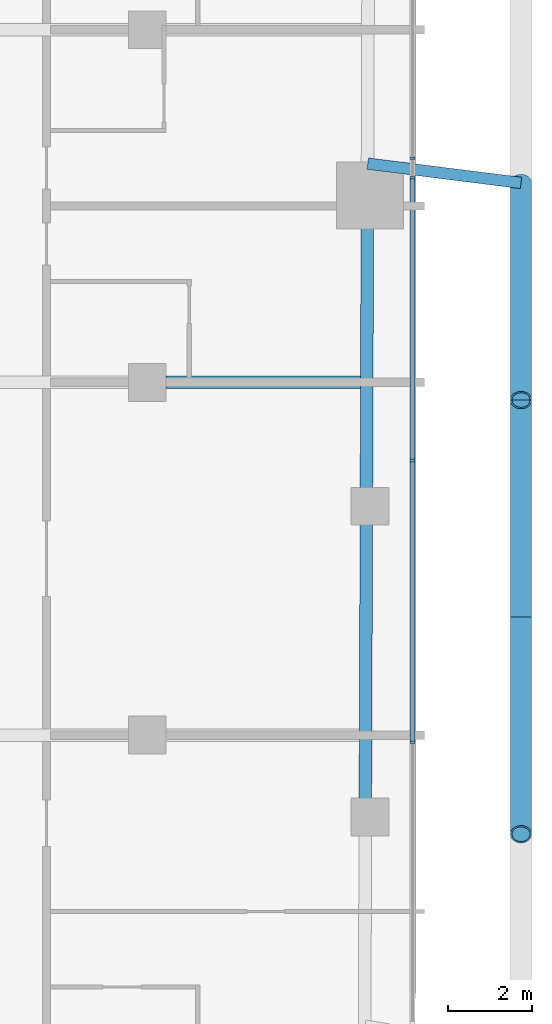
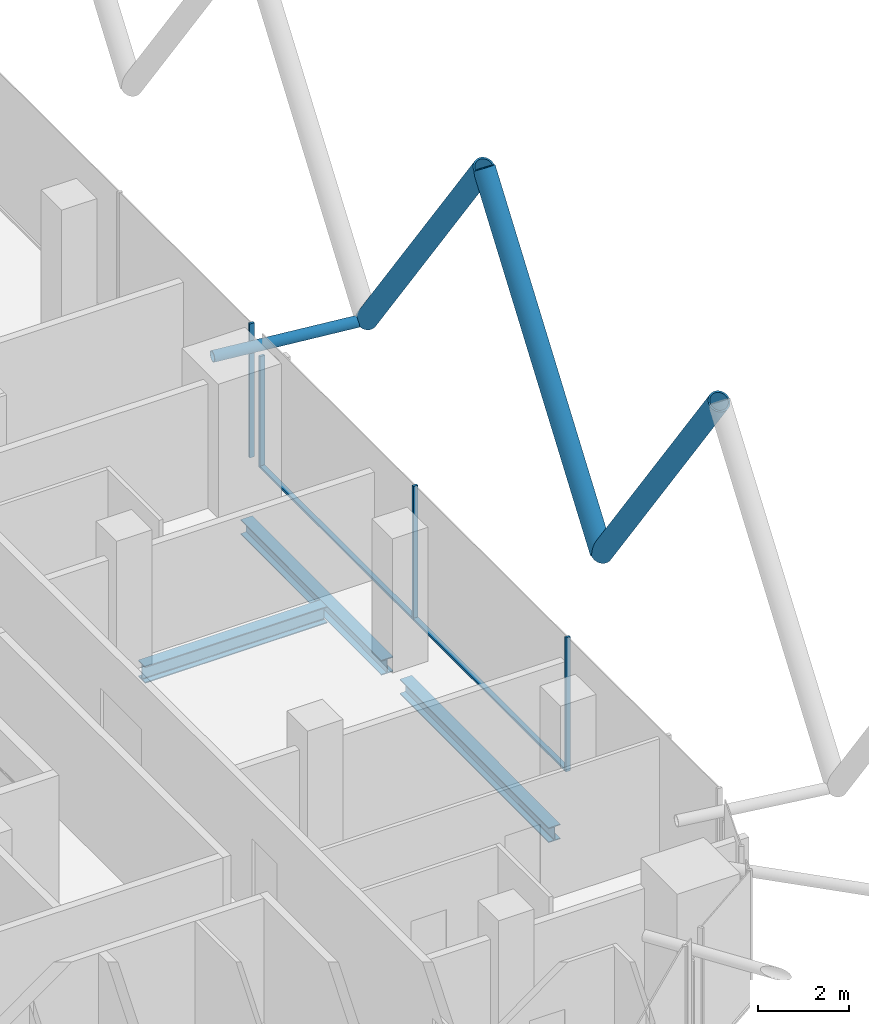
# One storey, part 8 of 36: 10 members, 3 beams, 3 elements without a shape of their own.
"""IFC4 building model written with IfcOpenShell, lengths in metres."""

from ifc_helpers import new_model, si_unit, direction, frame, origin, origin_2d, place, context, subcontext, project, spatial, rectangle, hollow_circle, i_section, extrude, material, layer, layer_set, material_profile, profile_set, type_object, element, aggregate, save


model = new_model("IFC4")

# Units and contexts
model_context = context("Model", 3, precision=1e-05, world=origin(), true_north=direction((0.0, 1.0)))
body_context = subcontext(model_context, "Body", "Model", "MODEL_VIEW")
ifc_project = project(units=[si_unit("LENGTHUNIT", "METRE"), si_unit("AREAUNIT", "SQUARE_METRE"), si_unit("VOLUMEUNIT", "CUBIC_METRE"), si_unit("PLANEANGLEUNIT", "RADIAN"), si_unit("MASSUNIT", "GRAM", prefix="KILO")], contexts=[model_context])

# Site, building, storey
site_placement = place(None, origin())
site = spatial("IfcSite", under=ifc_project, at=site_placement, CompositionType="ELEMENT")
building_placement = place(site_placement, origin())
building = spatial("IfcBuilding", under=site, at=building_placement, Name="Marenta Gate Hotel Tower", CompositionType="ELEMENT")
storey_placement = place(building_placement, frame((0.0, 0.0, 115.699951171875)))
storey = spatial("IfcBuildingStorey", under=building, at=storey_placement, Name="L25", CompositionType="ELEMENT", Elevation=115.699951171875)

# Members
ifc_material_1 = material(Name="Steel S355J2W", Category="steel")
ifc_material_profile_1 = material_profile(ifc_material_1, hollow_circle(Radius=0.25390625, WallThickness=0.0400390625, at=origin_2d()), Name="CHS 508x40")
ifc_profile_set_1 = profile_set([ifc_material_profile_1], Name="Steel S355J2W")
member_type_1 = type_object("IfcMemberType", Name="Diagrid diagonal Z2 CHS 508x40", PredefinedType="BRACE", material=ifc_profile_set_1)
member_1_placement = place(storey_placement, frame((29.89990234375, 4.75, 3.14013671875), z_axis=(0.0, -0.583279014058, 0.812271870595), x_axis=(1.0, 0.0, 0.0)))
element("IfcMember", 1, at=member_1_placement, inside=storey, type_object=member_type_1, Name="L25-DG-6", PredefinedType="BRACE", context=body_context, shape_type="SweptSolid", body=[
    extrude(hollow_circle(Radius=0.25390625, WallThickness=0.0400390625, at=origin_2d()), origin(), (0.0, 0.0, 1.0), 8.864013671875),
])
for number, where, z_axis, x_axis, name in (
    (2, (29.89990234375, -5.590087890625, 3.14013671875), (0.0, 0.583260841117, 0.812284919975), (-1.0, 0.0, 0.0), "L25-DG-7"),
    (3, (29.89990234375, -5.590087890625, 3.14013671875), (0.0, -0.583260841117, 0.812284919975), (1.0, 0.0, 0.0), "L25-DG-8"),
):
    element("IfcMember", number, at=place(storey_placement, frame(where, z_axis=z_axis, x_axis=x_axis)), inside=storey, type_object=member_type_1, Name=name, PredefinedType="BRACE", context=body_context, shape_type="SweptSolid", body=[
        extrude(hollow_circle(Radius=0.25390625, WallThickness=0.0400390625, at=origin_2d()), origin(), (0.0, 0.0, 1.0), 8.86376953125),
    ])

# Beams
ifc_material_2 = material(Name="Steel S355", Category="steel")
ifc_material_profile_2 = material_profile(ifc_material_2, i_section(OverallWidth=0.300048828125, OverallDepth=0.39990234375, WebThickness=0.013427734375, FlangeThickness=0.02392578125, FilletRadius=0.027099609375, at=origin_2d()), Name="HEB 400")
ifc_profile_set_2 = profile_set([ifc_material_profile_2], Name="Steel S355")
beam_type_1 = type_object("IfcBeamType", Name="Edge beam HEB 400", PredefinedType="SPANDREL", material=ifc_profile_set_2)
beam_1_placement = place(storey_placement, frame((26.2392578125, 3.68994140625, -0.4599609375), z_axis=(-0.003330441525, -0.999994454064, 0.0), x_axis=(0.999994454064, -0.003330441525, 0.0)))
element("IfcBeam", 4, at=beam_1_placement, inside=storey, type_object=beam_type_1, Name="L25-EB-25", PredefinedType="SPANDREL", context=body_context, shape_type="SweptSolid", body=[
    extrude(i_section(OverallWidth=0.300048828125, OverallDepth=0.39990234375, WebThickness=0.013427734375, FlangeThickness=0.02392578125, FilletRadius=0.027099609375, at=origin_2d()), origin(), (0.0, 0.0, 1.0), 6.23095703125),
])
beam_2_placement = place(storey_placement, frame((26.2158203125, -3.36083984375, -0.4599609375), z_axis=(-0.00333875569, -0.99999442634, 0.0), x_axis=(0.99999442634, -0.00333875569, 0.0)))
element("IfcBeam", 5, at=beam_2_placement, inside=storey, type_object=beam_type_1, Name="L25-EB-26", PredefinedType="SPANDREL", context=body_context, shape_type="SweptSolid", body=[
    extrude(i_section(OverallWidth=0.300048828125, OverallDepth=0.39990234375, WebThickness=0.013427734375, FlangeThickness=0.02392578125, FilletRadius=0.027099609375, at=origin_2d()), origin(), (0.0, 0.0, 1.0), 6.5810546875),
])

# Member
ifc_material_3 = material(Name="Steel S355J2W", Category="steel")
ifc_material_profile_3 = material_profile(ifc_material_3, hollow_circle(Radius=0.136474609375, WallThickness=0.012451171875, at=origin_2d()), Name="CHS 273x12.5")
ifc_profile_set_3 = profile_set([ifc_material_profile_3], Name="Steel S355J2W")
member_type_2 = type_object("IfcMemberType", Name="Floor tie CHS 273x12.5", PredefinedType="STRUT", material=ifc_profile_set_3)
member_2_placement = place(storey_placement, frame((29.89990234375, 4.75, 3.14013671875), z_axis=(-0.992172319979, 0.12487628865, 0.0), x_axis=(-0.12487628865, -0.992172319979, 0.0)))
element("IfcMember", 6, at=member_2_placement, inside=storey, type_object=member_type_2, Name="L25-DR-9", PredefinedType="STRUT", context=body_context, shape_type="SweptSolid", body=[
    extrude(hollow_circle(Radius=0.136474609375, WallThickness=0.012451171875, at=origin_2d()), origin(), (0.0, 0.0, 1.0), 3.677490234375),
])

# Beam
ifc_material_4 = material(Name="Steel S355", Category="steel")
ifc_material_profile_4 = material_profile(ifc_material_4, i_section(OverallWidth=0.300048828125, OverallDepth=0.449951171875, WebThickness=0.013916015625, FlangeThickness=0.02587890625, FilletRadius=0.027099609375, at=origin_2d()), Name="HEB 450")
ifc_profile_set_4 = profile_set([ifc_material_profile_4], Name="Steel S355")
beam_type_2 = type_object("IfcBeamType", Name="Girder HEB 450", PredefinedType="BEAM", material=ifc_profile_set_4)
beam_3_placement = place(storey_placement, frame((21.449951171875, 0.0, -0.48486328125), z_axis=(1.0, 0.0, 0.0), x_axis=(0.0, 1.0, 0.0)))
element("IfcBeam", 7, at=beam_3_placement, inside=storey, type_object=beam_type_2, Name="L25-GD-19", PredefinedType="BEAM", context=body_context, shape_type="SweptSolid", body=[
    extrude(i_section(OverallWidth=0.300048828125, OverallDepth=0.449951171875, WebThickness=0.013916015625, FlangeThickness=0.02587890625, FilletRadius=0.027099609375, at=origin_2d()), origin(), (0.0, 0.0, 1.0), 4.626953125),
])

# Curtain wall, members
ifc_material_5 = material(Name="Tinted insulated glass in bronze anodised frame", Category="glass")
ifc_layer = layer(ifc_material_5, 0.1201171875)
ifc_layer_set = layer_set([ifc_layer], Name="Tinted insulated glass in bronze anodised frame")
curtain_wall_type = type_object("IfcCurtainWallType", Name="Tower unitised curtain wall CW1", PredefinedType="NOTDEFINED", material=ifc_layer_set)
curtain_wall_1_placement = place(storey_placement, origin())
curtain_wall_1 = element("IfcCurtainWall", 8, at=curtain_wall_1_placement, inside=storey, type_object=curtain_wall_type, Name="CW1 run G33", PredefinedType="NOTDEFINED")
ifc_material_6 = material(Name="Bronze anodised aluminium", Category="aluminium")
ifc_material_profile_5 = material_profile(ifc_material_6, rectangle(XDim=0.1201171875, YDim=0.06005859375, at=origin_2d()), Name="Mullion CW1 60x120 bronze anodised aluminium")
ifc_profile_set_5 = profile_set([ifc_material_profile_5], Name="Bronze anodised aluminium")
member_type_3 = type_object("IfcMemberType", Name="Mullion CW1 60x120 bronze anodised aluminium", PredefinedType="MULLION", material=ifc_profile_set_5)
member_3_placement = place(storey_placement, frame((27.31396484375, -8.567626953125, 0.0), z_axis=(0.0, 0.0, 1.0), x_axis=(-1.0, 0.0, 0.0)))
member_3 = element("IfcMember", 9, at=member_3_placement, type_object=member_type_3, Name="CW1 mullion 2", PredefinedType="MULLION", context=body_context, shape_type="SweptSolid", body=[
    extrude(rectangle(XDim=0.1201171875, YDim=0.06005859375, at=origin_2d()), origin(), (0.0, 0.0, 1.0), 3.60009765625),
])
member_4_placement = place(storey_placement, frame((27.31396484375, -1.8603515625, 0.0), z_axis=(0.0, 0.0, 1.0), x_axis=(-1.0, 0.0, 0.0)))
member_4 = element("IfcMember", 10, at=member_4_placement, type_object=member_type_3, Name="CW1 mullion 3", PredefinedType="MULLION", context=body_context, shape_type="SweptSolid", body=[
    extrude(rectangle(XDim=0.1201171875, YDim=0.06005859375, at=origin_2d()), origin(), (0.0, 0.0, 1.0), 3.60009765625),
])

# Curtain wall, member
curtain_wall_2_placement = place(storey_placement, origin())
curtain_wall_2 = element("IfcCurtainWall", 11, at=curtain_wall_2_placement, inside=storey, type_object=curtain_wall_type, Name="CW1 run G34", PredefinedType="NOTDEFINED")
member_5_placement = place(storey_placement, frame((27.31396484375, 4.877197265625, 0.0), z_axis=(0.0, 0.0, 1.0), x_axis=(-1.0, 0.0, 0.0)))
member_5 = element("IfcMember", 12, at=member_5_placement, type_object=member_type_3, Name="CW1 mullion 1", PredefinedType="MULLION", context=body_context, shape_type="SweptSolid", body=[
    extrude(rectangle(XDim=0.1201171875, YDim=0.06005859375, at=origin_2d()), origin(), (0.0, 0.0, 1.0), 3.00048828125),
])
aggregate(curtain_wall_2, [member_5])

curtain_wall_3_placement = place(storey_placement, origin())
curtain_wall_3 = element("IfcCurtainWall", 13, at=curtain_wall_3_placement, inside=storey, type_object=curtain_wall_type, Name="CW1 run G35", PredefinedType="NOTDEFINED")
member_6_placement = place(storey_placement, frame((27.31396484375, 5.333740234375, 0.0), z_axis=(0.0, 0.0, 1.0), x_axis=(-1.0, 0.0, 0.0)))
member_6 = element("IfcMember", 14, at=member_6_placement, type_object=member_type_3, Name="CW1 mullion 1", PredefinedType="MULLION", context=body_context, shape_type="SweptSolid", body=[
    extrude(rectangle(XDim=0.1201171875, YDim=0.06005859375, at=origin_2d()), origin(), (0.0, 0.0, 1.0), 3.60009765625),
])
aggregate(curtain_wall_3, [member_6])

# Member
ifc_material_7 = material(Name="Bronze anodised aluminium", Category="aluminium")
ifc_material_profile_6 = material_profile(ifc_material_7, rectangle(XDim=0.1201171875, YDim=0.06005859375, at=origin_2d()), Name="Transom CW1 60x120 bronze anodised aluminium")
ifc_profile_set_6 = profile_set([ifc_material_profile_6], Name="Bronze anodised aluminium")
member_type_4 = type_object("IfcMemberType", Name="Transom CW1 60x120 bronze anodised aluminium", PredefinedType="USERDEFINED", material=ifc_profile_set_6)
member_7_placement = place(storey_placement, frame((27.31396484375, -8.53759765625, 0.030029296875), z_axis=(0.0, 1.0, 0.0), x_axis=(-1.0, 0.0, 0.0)))
member_7 = element("IfcMember", 15, at=member_7_placement, type_object=member_type_4, Name="CW1 transom 2.1", ObjectType="TRANSOM", PredefinedType="USERDEFINED", context=body_context, shape_type="SweptSolid", body=[
    extrude(rectangle(XDim=0.1201171875, YDim=0.06005859375, at=origin_2d()), origin(), (0.0, 0.0, 1.0), 6.6474609375),
])

member_8_placement = place(storey_placement, frame((27.31396484375, -1.830322265625, 0.030029296875), z_axis=(0.0, 1.0, 0.0), x_axis=(-1.0, 0.0, 0.0)))
member_8 = element("IfcMember", 16, at=member_8_placement, type_object=member_type_4, Name="CW1 transom 3.1", ObjectType="TRANSOM", PredefinedType="USERDEFINED", context=body_context, shape_type="SweptSolid", body=[
    extrude(rectangle(XDim=0.1201171875, YDim=0.06005859375, at=origin_2d()), origin(), (0.0, 0.0, 1.0), 6.677490234375),
])

aggregate(curtain_wall_1, [member_3, member_4, member_7, member_8])

save(model, "model.ifc")
